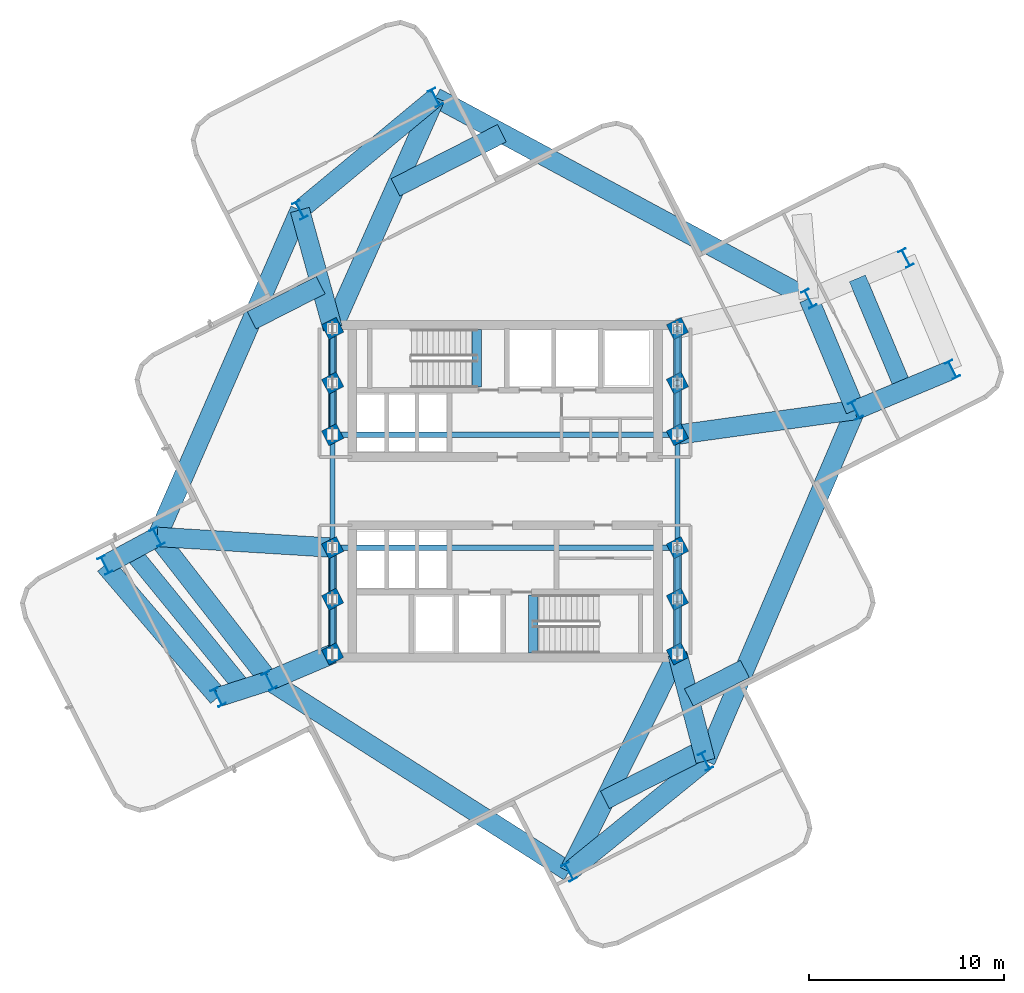
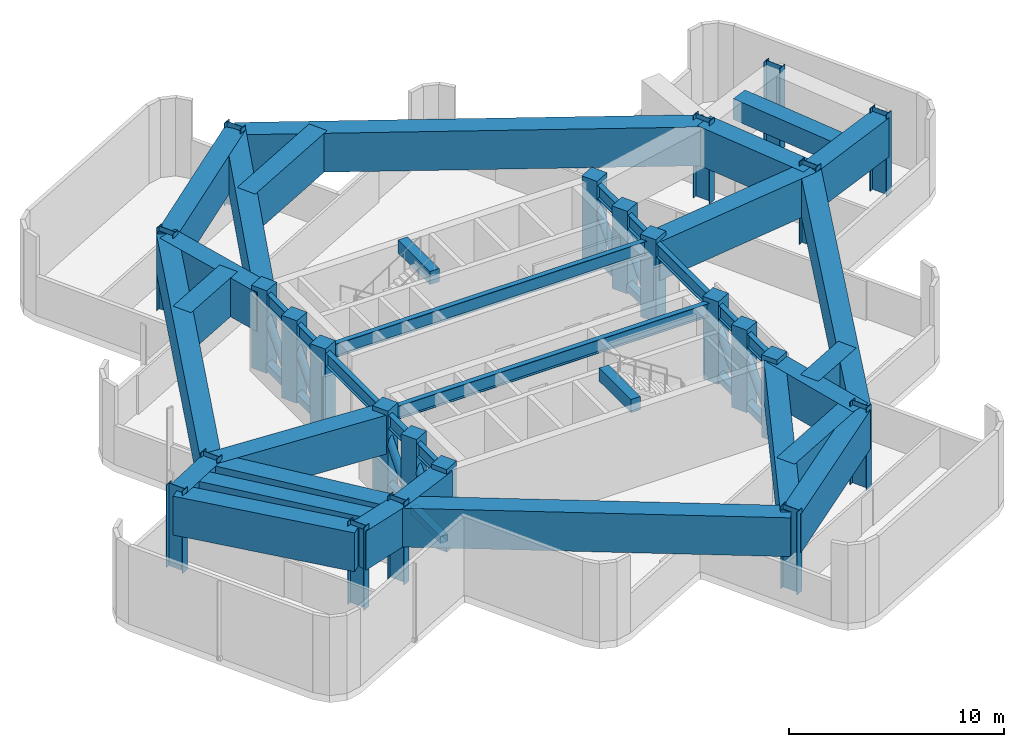
# One storey, part 1 of 6: 39 beams, 24 columns, 16 members.
"""IFC4 building model written with IfcOpenShell, lengths in metres."""

from ifc_helpers import new_model, si_unit, direction, frame, origin, origin_2d, place, context, subcontext, project, spatial, rectangle, hollow_rectangle, hollow_circle, i_section, extrude, material, material_profile, profile_set, type_object, element, save


model = new_model("IFC4")

# Units and contexts
model_context = context("Model", 3, precision=1e-05, world=origin(), true_north=direction((0.0, 1.0)))
body_context = subcontext(model_context, "Body", "Model", "MODEL_VIEW")
ifc_project = project(units=[si_unit("LENGTHUNIT", "METRE"), si_unit("AREAUNIT", "SQUARE_METRE"), si_unit("VOLUMEUNIT", "CUBIC_METRE"), si_unit("PLANEANGLEUNIT", "RADIAN"), si_unit("MASSUNIT", "GRAM", prefix="KILO")], contexts=[model_context])

# Site, building, storey
site_placement = place(None, origin())
site = spatial("IfcSite", under=ifc_project, at=site_placement, CompositionType="ELEMENT")
building_placement = place(site_placement, origin())
building = spatial("IfcBuilding", under=site, at=building_placement, Name="Solmarez Civic Tower", CompositionType="ELEMENT")
storey_placement = place(building_placement, frame((0.0, 0.0, 196.199951171875)))
storey = spatial("IfcBuildingStorey", under=building, at=storey_placement, Name="L52", CompositionType="ELEMENT", Elevation=196.199951171875)

# Columns
ifc_material_1 = material(Name="Concrete C50/60", Category="concrete")
ifc_material_profile_1 = material_profile(ifc_material_1, rectangle(XDim=0.85009765625, YDim=0.85009765625, at=origin_2d()), Name="RC850X850")
ifc_profile_set_1 = profile_set([ifc_material_profile_1], Name="Concrete C50/60")
column_type_1 = type_object("IfcColumnType", Name="COL-RC850", PredefinedType="COLUMN", material=ifc_profile_set_1)
for number, where, z_axis, x_axis, name in (
    (1, (-8.85009765625, -5.550048828125, 0.0), (0.0, 0.0, 1.0), (0.891006524188, 0.45399049974, 0.0), "L52 Structural Column HC1"),
    (2, (-8.85009765625, -2.89990234375, 0.0), (0.0, 0.0, 1.0), (0.891006524188, 0.45399049974, 0.0), "L52 Structural Column HC2"),
    (3, (-8.85009765625, 2.89990234375, 0.0), (0.0, 0.0, 1.0), (0.891006524188, 0.45399049974, 0.0), "L52 Structural Column HC3"),
    (4, (-8.85009765625, 5.550048828125, 0.0), (0.0, 0.0, 1.0), (0.891006524188, 0.45399049974, 0.0), "L52 Structural Column HC4"),
    (5, (8.85009765625, -5.550048828125, 0.0), (0.0, 0.0, 1.0), (0.891006524188, 0.45399049974, 0.0), "L52 Structural Column HC5"),
    (6, (8.85009765625, -2.89990234375, 0.0), (0.0, 0.0, 1.0), (0.891006524188, 0.45399049974, 0.0), "L52 Structural Column HC6"),
    (7, (8.85009765625, 2.89990234375, 0.0), (0.0, 0.0, 1.0), (0.891006524188, 0.45399049974, 0.0), "L52 Structural Column HC7"),
    (8, (8.85009765625, 5.550048828125, 0.0), (0.0, 0.0, 1.0), (0.891006524188, 0.45399049974, 0.0), "L52 Structural Column HC8"),
    (9, (-8.85009765625, 8.35009765625, 0.0), (0.0, 0.0, 1.0), (0.891006524188, 0.45399049974, 0.0), "L52 Structural Column HC9"),
    (10, (8.85009765625, -8.35009765625, 0.0), (0.0, 0.0, 1.0), (0.891006524188, 0.45399049974, 0.0), "L52 Structural Column HC10"),
    (11, (8.85009765625, 8.35009765625, 0.0), (0.0, 0.0, 1.0), (0.891006524188, 0.45399049974, 0.0), "L52 Structural Column HC11"),
    (12, (-8.85009765625, -8.35009765625, 0.0), (0.0, 0.0, 1.0), (0.891006524188, 0.45399049974, 0.0), "L52 Structural Column HC12"),
):
    element("IfcColumn", number, at=place(storey_placement, frame(where, z_axis=z_axis, x_axis=x_axis)), inside=storey, type_object=column_type_1, Name=name, PredefinedType="COLUMN", context=body_context, shape_type="SweptSolid", body=[
        extrude(rectangle(XDim=0.85009765625, YDim=0.85009765625, at=origin_2d()), origin(), (0.0, 0.0, 1.0), 4.679931640625),
    ])
ifc_material_2 = material(Name="Steel S355", Category="steel")
ifc_material_profile_2 = material_profile(ifc_material_2, i_section(OverallWidth=0.41796875, OverallDepth=0.927001953125, WebThickness=0.019287109375, FlangeThickness=0.031982421875, at=origin_2d()), Name="W36X231")
ifc_profile_set_2 = profile_set([ifc_material_profile_2], Name="Steel S355")
column_type_2 = type_object("IfcColumnType", Name="COL-W36X231", PredefinedType="COLUMN", material=ifc_profile_set_2)
for number, where, z_axis, x_axis, name in (
    (13, (17.987060546875, 4.1640625, 0.0), (0.0, 0.0, 1.0), (0.891006524188, 0.45399049974, 0.0), "L52 Structural Column EA11"),
    (14, (15.593994140625, 9.883056640625, 0.0), (0.0, 0.0, 1.0), (0.891006524188, 0.45399049974, 0.0), "L52 Structural Column EA12"),
    (15, (22.968017578125, 6.248046875, 0.0), (0.0, 0.0, 1.0), (0.891006524188, 0.45399049974, 0.0), "L52 Structural Column EA21"),
    (16, (20.575927734375, 11.967041015625, 0.0), (0.0, 0.0, 1.0), (0.891006524188, 0.45399049974, 0.0), "L52 Structural Column EA22"),
    (17, (-3.570068359375, 20.20703125, 0.0), (0.0, 0.0, 1.0), (0.891006524188, 0.45399049974, 0.0), "L52 Structural Column NA11"),
    (18, (-10.532958984375, 14.43310546875, 0.0), (0.0, 0.0, 1.0), (0.891006524188, 0.45399049974, 0.0), "L52 Structural Column NA12"),
    (19, (-17.85791015625, -2.345947265625, 0.0), (0.0, 0.0, 1.0), (0.891006524188, 0.45399049974, 0.0), "L52 Structural Column WA11"),
    (20, (-12.10595703125, -9.73095703125, 0.0), (0.0, 0.0, 1.0), (0.891006524188, 0.45399049974, 0.0), "L52 Structural Column WA12"),
    (21, (-20.534912109375, -3.7880859375, 0.0), (0.0, 0.0, 1.0), (0.891006524188, 0.45399049974, 0.0), "L52 Structural Column WA21"),
    (22, (-14.73095703125, -10.572998046875, 0.0), (0.0, 0.0, 1.0), (0.891006524188, 0.45399049974, 0.0), "L52 Structural Column WA22"),
    (23, (3.2900390625, -19.535888671875, 0.0), (0.0, 0.0, 1.0), (0.891006524188, 0.45399049974, 0.0), "L52 Structural Column SA11"),
    (24, (10.2900390625, -13.85009765625, 0.0), (0.0, 0.0, 1.0), (0.891006524188, 0.45399049974, 0.0), "L52 Structural Column SA12"),
):
    element("IfcColumn", number, at=place(storey_placement, frame(where, z_axis=z_axis, x_axis=x_axis)), inside=storey, type_object=column_type_2, Name=name, PredefinedType="COLUMN", context=body_context, shape_type="SweptSolid", body=[
        extrude(i_section(OverallWidth=0.41796875, OverallDepth=0.927001953125, WebThickness=0.019287109375, FlangeThickness=0.031982421875, at=origin_2d()), origin(), (0.0, 0.0, 1.0), 4.679931640625),
    ])

# Beams
ifc_material_profile_3 = material_profile(ifc_material_1, rectangle(XDim=0.5, YDim=0.75, at=origin_2d()), Name="RC500X750")
ifc_profile_set_3 = profile_set([ifc_material_profile_3], Name="Concrete C50/60")
beam_type_1 = type_object("IfcBeamType", Name="BM-PR-RC500X750", PredefinedType="BEAM", material=ifc_profile_set_3)
for number, where, z_axis, x_axis, name in (
    (25, (-1.449951171875, 5.340087890625, 4.31298828125), (0.0, 1.0, 0.0), (-1.0, 0.0, 0.0), "L52 North Stair Threshold Beam"),
    (26, (1.449951171875, -8.300048828125, 4.31298828125), (0.0, 1.0, 0.0), (-1.0, 0.0, 0.0), "L52 South Stair Threshold Beam"),
):
    element("IfcBeam", number, at=place(storey_placement, frame(where, z_axis=z_axis, x_axis=x_axis)), inside=storey, type_object=beam_type_1, Name=name, PredefinedType="BEAM", context=body_context, shape_type="SweptSolid", body=[
        extrude(rectangle(XDim=0.5, YDim=0.75, at=origin_2d()), origin(), (0.0, 0.0, 1.0), 2.9599609375),
    ])
ifc_material_profile_4 = material_profile(ifc_material_2, i_section(OverallWidth=0.26708984375, OverallDepth=0.761962890625, WebThickness=0.014404296875, FlangeThickness=0.021484375, at=origin_2d()), Name="W30X116")
ifc_profile_set_4 = profile_set([ifc_material_profile_4], Name="Steel S355")
beam_type_2 = type_object("IfcBeamType", Name="BM-PR-W30X116", PredefinedType="BEAM", material=ifc_profile_set_4)
beam_1_placement = place(storey_placement, frame((-8.85009765625, -8.35009765625, 4.0390625), z_axis=(0.0, 1.0, 0.0), x_axis=(-1.0, 0.0, 0.0)))
element("IfcBeam", 27, at=beam_1_placement, inside=storey, type_object=beam_type_2, Name="L52 Primary Floor Beam BM-L52-HC12-HC1", PredefinedType="BEAM", context=body_context, shape_type="SweptSolid", body=[
    extrude(i_section(OverallWidth=0.26708984375, OverallDepth=0.761962890625, WebThickness=0.014404296875, FlangeThickness=0.021484375, at=origin_2d()), origin(), (0.0, 0.0, 1.0), 2.800048828125),
])
beam_2_placement = place(storey_placement, frame((-8.85009765625, -5.550048828125, 4.0390625), z_axis=(0.0, 1.0, 0.0), x_axis=(-1.0, 0.0, 0.0)))
element("IfcBeam", 28, at=beam_2_placement, inside=storey, type_object=beam_type_2, Name="L52 Primary Floor Beam BM-L52-HC1-HC2", PredefinedType="BEAM", context=body_context, shape_type="SweptSolid", body=[
    extrude(i_section(OverallWidth=0.26708984375, OverallDepth=0.761962890625, WebThickness=0.014404296875, FlangeThickness=0.021484375, at=origin_2d()), origin(), (0.0, 0.0, 1.0), 2.650146484375),
])
beam_3_placement = place(storey_placement, frame((-8.85009765625, -2.89990234375, 4.0390625), z_axis=(0.0, 1.0, 0.0), x_axis=(-1.0, 0.0, 0.0)))
element("IfcBeam", 29, at=beam_3_placement, inside=storey, type_object=beam_type_2, Name="L52 Primary Floor Beam BM-L52-HC2-HC3", PredefinedType="BEAM", context=body_context, shape_type="SweptSolid", body=[
    extrude(i_section(OverallWidth=0.26708984375, OverallDepth=0.761962890625, WebThickness=0.014404296875, FlangeThickness=0.021484375, at=origin_2d()), origin(), (0.0, 0.0, 1.0), 5.7998046875),
])
beam_4_placement = place(storey_placement, frame((-8.85009765625, 2.89990234375, 4.0390625), z_axis=(0.0, 1.0, 0.0), x_axis=(-1.0, 0.0, 0.0)))
element("IfcBeam", 30, at=beam_4_placement, inside=storey, type_object=beam_type_2, Name="L52 Primary Floor Beam BM-L52-HC3-HC4", PredefinedType="BEAM", context=body_context, shape_type="SweptSolid", body=[
    extrude(i_section(OverallWidth=0.26708984375, OverallDepth=0.761962890625, WebThickness=0.014404296875, FlangeThickness=0.021484375, at=origin_2d()), origin(), (0.0, 0.0, 1.0), 2.650146484375),
])
for number, where, z_axis, x_axis, name in (
    (31, (-8.85009765625, 5.550048828125, 4.0390625), (0.0, 1.0, 0.0), (-1.0, 0.0, 0.0), "L52 Primary Floor Beam BM-L52-HC4-HC9"),
    (32, (8.85009765625, -8.35009765625, 4.0390625), (0.0, 1.0, 0.0), (-1.0, 0.0, 0.0), "L52 Primary Floor Beam BM-L52-HC10-HC5"),
):
    element("IfcBeam", number, at=place(storey_placement, frame(where, z_axis=z_axis, x_axis=x_axis)), inside=storey, type_object=beam_type_2, Name=name, PredefinedType="BEAM", context=body_context, shape_type="SweptSolid", body=[
        extrude(i_section(OverallWidth=0.26708984375, OverallDepth=0.761962890625, WebThickness=0.014404296875, FlangeThickness=0.021484375, at=origin_2d()), origin(), (0.0, 0.0, 1.0), 2.800048828125),
    ])
beam_5_placement = place(storey_placement, frame((8.85009765625, -5.550048828125, 4.0390625), z_axis=(0.0, 1.0, 0.0), x_axis=(-1.0, 0.0, 0.0)))
element("IfcBeam", 33, at=beam_5_placement, inside=storey, type_object=beam_type_2, Name="L52 Primary Floor Beam BM-L52-HC5-HC6", PredefinedType="BEAM", context=body_context, shape_type="SweptSolid", body=[
    extrude(i_section(OverallWidth=0.26708984375, OverallDepth=0.761962890625, WebThickness=0.014404296875, FlangeThickness=0.021484375, at=origin_2d()), origin(), (0.0, 0.0, 1.0), 2.650146484375),
])
beam_6_placement = place(storey_placement, frame((8.85009765625, -2.89990234375, 4.0390625), z_axis=(0.0, 1.0, 0.0), x_axis=(-1.0, 0.0, 0.0)))
element("IfcBeam", 34, at=beam_6_placement, inside=storey, type_object=beam_type_2, Name="L52 Primary Floor Beam BM-L52-HC6-HC7", PredefinedType="BEAM", context=body_context, shape_type="SweptSolid", body=[
    extrude(i_section(OverallWidth=0.26708984375, OverallDepth=0.761962890625, WebThickness=0.014404296875, FlangeThickness=0.021484375, at=origin_2d()), origin(), (0.0, 0.0, 1.0), 5.7998046875),
])
beam_7_placement = place(storey_placement, frame((8.85009765625, 2.89990234375, 4.0390625), z_axis=(0.0, 1.0, 0.0), x_axis=(-1.0, 0.0, 0.0)))
element("IfcBeam", 35, at=beam_7_placement, inside=storey, type_object=beam_type_2, Name="L52 Primary Floor Beam BM-L52-HC7-HC8", PredefinedType="BEAM", context=body_context, shape_type="SweptSolid", body=[
    extrude(i_section(OverallWidth=0.26708984375, OverallDepth=0.761962890625, WebThickness=0.014404296875, FlangeThickness=0.021484375, at=origin_2d()), origin(), (0.0, 0.0, 1.0), 2.650146484375),
])
beam_8_placement = place(storey_placement, frame((8.85009765625, 5.550048828125, 4.0390625), z_axis=(0.0, 1.0, 0.0), x_axis=(-1.0, 0.0, 0.0)))
element("IfcBeam", 36, at=beam_8_placement, inside=storey, type_object=beam_type_2, Name="L52 Primary Floor Beam BM-L52-HC8-HC11", PredefinedType="BEAM", context=body_context, shape_type="SweptSolid", body=[
    extrude(i_section(OverallWidth=0.26708984375, OverallDepth=0.761962890625, WebThickness=0.014404296875, FlangeThickness=0.021484375, at=origin_2d()), origin(), (0.0, 0.0, 1.0), 2.800048828125),
])
for number, where, z_axis, x_axis, name in (
    (37, (-8.85009765625, -2.89990234375, 4.0390625), (1.0, 0.0, 0.0), (0.0, 1.0, 0.0), "L52 Primary Floor Beam BM-L52-HC2-HC6"),
    (38, (-8.85009765625, 2.89990234375, 4.0390625), (1.0, 0.0, 0.0), (0.0, 1.0, 0.0), "L52 Primary Floor Beam BM-L52-HC3-HC7"),
):
    element("IfcBeam", number, at=place(storey_placement, frame(where, z_axis=z_axis, x_axis=x_axis)), inside=storey, type_object=beam_type_2, Name=name, PredefinedType="BEAM", context=body_context, shape_type="SweptSolid", body=[
        extrude(i_section(OverallWidth=0.26708984375, OverallDepth=0.761962890625, WebThickness=0.014404296875, FlangeThickness=0.021484375, at=origin_2d()), origin(), (0.0, 0.0, 1.0), 17.7001953125),
    ])
ifc_material_3 = material(Name="Concrete C60/75", Category="concrete")
ifc_material_profile_5 = material_profile(ifc_material_3, rectangle(XDim=1.0, YDim=2.199951171875, at=origin_2d()), Name="RC1000X2200")
ifc_profile_set_5 = profile_set([ifc_material_profile_5], Name="Concrete C60/75")
beam_type_3 = type_object("IfcBeamType", Name="BM-TG-RC1000X2200", PredefinedType="USERDEFINED", material=ifc_profile_set_5)
beam_9_placement = place(storey_placement, frame((8.85009765625, 2.89990234375, 3.320068359375), z_axis=(0.990563968355, 0.137051175101, 0.0), x_axis=(-0.137051175101, 0.990563968355, 0.0)))
element("IfcBeam", 39, at=beam_9_placement, inside=storey, type_object=beam_type_3, Name="L52 Transfer Girder BM-L52-EA-R1A", ObjectType="TRANSFER_GIRDER", PredefinedType="USERDEFINED", context=body_context, shape_type="SweptSolid", body=[
    extrude(rectangle(XDim=1.0, YDim=2.199951171875, at=origin_2d()), origin(), (0.0, 0.0, 1.0), 9.22412109375),
])
beam_10_placement = place(storey_placement, frame((17.987060546875, 4.1640625, 3.320068359375), z_axis=(-0.386010282684, 0.922494477849, 0.0), x_axis=(-0.922494477849, -0.386010282684, 0.0)))
element("IfcBeam", 40, at=beam_10_placement, inside=storey, type_object=beam_type_3, Name="L52 Transfer Girder BM-L52-EA-T1", ObjectType="TRANSFER_GIRDER", PredefinedType="USERDEFINED", context=body_context, shape_type="SweptSolid", body=[
    extrude(rectangle(XDim=1.0, YDim=2.199951171875, at=origin_2d()), origin(), (0.0, 0.0, 1.0), 6.199462890625),
])
beam_11_placement = place(storey_placement, frame((17.987060546875, 4.1640625, 3.320068359375), z_axis=(0.922511388683, 0.385969866376, 0.0), x_axis=(-0.385969866376, 0.922511388683, 0.0)))
element("IfcBeam", 41, at=beam_11_placement, inside=storey, type_object=beam_type_3, Name="L52 Transfer Girder BM-L52-EA-R2A", ObjectType="TRANSFER_GIRDER", PredefinedType="USERDEFINED", context=body_context, shape_type="SweptSolid", body=[
    extrude(rectangle(XDim=1.0, YDim=2.199951171875, at=origin_2d()), origin(), (0.0, 0.0, 1.0), 5.3994140625),
])
beam_12_placement = place(storey_placement, frame((-8.85009765625, 8.35009765625, 3.320068359375), z_axis=(0.406799805731, 0.9135173332, 0.0), x_axis=(-0.9135173332, 0.406799805731, 0.0)))
element("IfcBeam", 42, at=beam_12_placement, inside=storey, type_object=beam_type_3, Name="L52 Transfer Girder BM-L52-NA-R1A", ObjectType="TRANSFER_GIRDER", PredefinedType="USERDEFINED", context=body_context, shape_type="SweptSolid", body=[
    extrude(rectangle(XDim=1.0, YDim=2.199951171875, at=origin_2d()), origin(), (0.0, 0.0, 1.0), 12.9794921875),
])
beam_13_placement = place(storey_placement, frame((-8.85009765625, 8.35009765625, 3.320068359375), z_axis=(-0.266634219494, 0.963797796737, 0.0), x_axis=(-0.963797796737, -0.266634219494, 0.0)))
element("IfcBeam", 43, at=beam_13_placement, inside=storey, type_object=beam_type_3, Name="L52 Transfer Girder BM-L52-NA-R1B", ObjectType="TRANSFER_GIRDER", PredefinedType="USERDEFINED", context=body_context, shape_type="SweptSolid", body=[
    extrude(rectangle(XDim=1.0, YDim=2.199951171875, at=origin_2d()), origin(), (0.0, 0.0, 1.0), 6.3115234375),
])
beam_14_placement = place(storey_placement, frame((-3.570068359375, 20.20703125, 3.320068359375), z_axis=(-0.769767664309, -0.638324167633, 0.0), x_axis=(0.638324167633, -0.769767664309, 0.0)))
element("IfcBeam", 44, at=beam_14_placement, inside=storey, type_object=beam_type_3, Name="L52 Transfer Girder BM-L52-NA-T1", ObjectType="TRANSFER_GIRDER", PredefinedType="USERDEFINED", context=body_context, shape_type="SweptSolid", body=[
    extrude(rectangle(XDim=1.0, YDim=2.199951171875, at=origin_2d()), origin(), (0.0, 0.0, 1.0), 9.04541015625),
])
beam_15_placement = place(storey_placement, frame((-8.85009765625, -2.89990234375, 3.320068359375), z_axis=(-0.998114395047, 0.061381221877, 0.0), x_axis=(-0.061381221877, -0.998114395047, 0.0)))
element("IfcBeam", 45, at=beam_15_placement, inside=storey, type_object=beam_type_3, Name="L52 Transfer Girder BM-L52-WA-R1A", ObjectType="TRANSFER_GIRDER", PredefinedType="USERDEFINED", context=body_context, shape_type="SweptSolid", body=[
    extrude(rectangle(XDim=1.0, YDim=2.199951171875, at=origin_2d()), origin(), (0.0, 0.0, 1.0), 9.02490234375),
])
beam_16_placement = place(storey_placement, frame((-8.85009765625, -8.35009765625, 3.320068359375), z_axis=(-0.920623894701, -0.390450566019, 0.0), x_axis=(0.390450566019, -0.920623894701, 0.0)))
element("IfcBeam", 46, at=beam_16_placement, inside=storey, type_object=beam_type_3, Name="L52 Transfer Girder BM-L52-WA-R1B", ObjectType="TRANSFER_GIRDER", PredefinedType="USERDEFINED", context=body_context, shape_type="SweptSolid", body=[
    extrude(rectangle(XDim=1.0, YDim=2.199951171875, at=origin_2d()), origin(), (0.0, 0.0, 1.0), 3.53662109375),
])
beam_17_placement = place(storey_placement, frame((-17.85791015625, -2.345947265625, 3.320068359375), z_axis=(0.614476744631, -0.788934934141, 0.0), x_axis=(0.788934934141, 0.614476744631, 0.0)))
element("IfcBeam", 47, at=beam_17_placement, inside=storey, type_object=beam_type_3, Name="L52 Transfer Girder BM-L52-WA-T1", ObjectType="TRANSFER_GIRDER", PredefinedType="USERDEFINED", context=body_context, shape_type="SweptSolid", body=[
    extrude(rectangle(XDim=1.0, YDim=2.199951171875, at=origin_2d()), origin(), (0.0, 0.0, 1.0), 9.36083984375),
])
beam_18_placement = place(storey_placement, frame((-17.85791015625, -2.345947265625, 3.320068359375), z_axis=(-0.880378270924, -0.474272179329, 0.0), x_axis=(0.474272179329, -0.880378270924, 0.0)))
element("IfcBeam", 48, at=beam_18_placement, inside=storey, type_object=beam_type_3, Name="L52 Transfer Girder BM-L52-WA-R2A", ObjectType="TRANSFER_GIRDER", PredefinedType="USERDEFINED", context=body_context, shape_type="SweptSolid", body=[
    extrude(rectangle(XDim=1.0, YDim=2.199951171875, at=origin_2d()), origin(), (0.0, 0.0, 1.0), 3.040771484375),
])
beam_19_placement = place(storey_placement, frame((-12.10595703125, -9.73095703125, 3.320068359375), z_axis=(-0.952208998703, -0.305447250421, 0.0), x_axis=(0.305447250421, -0.952208998703, 0.0)))
element("IfcBeam", 49, at=beam_19_placement, inside=storey, type_object=beam_type_3, Name="L52 Transfer Girder BM-L52-WA-R2B", ObjectType="TRANSFER_GIRDER", PredefinedType="USERDEFINED", context=body_context, shape_type="SweptSolid", body=[
    extrude(rectangle(XDim=1.0, YDim=2.199951171875, at=origin_2d()), origin(), (0.0, 0.0, 1.0), 2.7568359375),
])
beam_20_placement = place(storey_placement, frame((-20.534912109375, -3.7880859375, 3.320068359375), z_axis=(0.650036693718, -0.759902820642, 0.0), x_axis=(0.759902820642, 0.650036693718, 0.0)))
element("IfcBeam", 50, at=beam_20_placement, inside=storey, type_object=beam_type_3, Name="L52 Transfer Girder BM-L52-WA-T2", ObjectType="TRANSFER_GIRDER", PredefinedType="USERDEFINED", context=body_context, shape_type="SweptSolid", body=[
    extrude(rectangle(XDim=1.0, YDim=2.199951171875, at=origin_2d()), origin(), (0.0, 0.0, 1.0), 8.9287109375),
])
beam_21_placement = place(storey_placement, frame((8.85009765625, -8.35009765625, 3.320068359375), z_axis=(-0.44510935737, -0.895476219663, 0.0), x_axis=(0.895476219663, -0.44510935737, 0.0)))
element("IfcBeam", 51, at=beam_21_placement, inside=storey, type_object=beam_type_3, Name="L52 Transfer Girder BM-L52-SA-R1A", ObjectType="TRANSFER_GIRDER", PredefinedType="USERDEFINED", context=body_context, shape_type="SweptSolid", body=[
    extrude(rectangle(XDim=1.0, YDim=2.199951171875, at=origin_2d()), origin(), (0.0, 0.0, 1.0), 12.491455078125),
])
beam_22_placement = place(storey_placement, frame((8.85009765625, -8.35009765625, 3.320068359375), z_axis=(0.253271365575, -0.967395273598, 0.0), x_axis=(0.967395273598, 0.253271365575, 0.0)))
element("IfcBeam", 52, at=beam_22_placement, inside=storey, type_object=beam_type_3, Name="L52 Transfer Girder BM-L52-SA-R1B", ObjectType="TRANSFER_GIRDER", PredefinedType="USERDEFINED", context=body_context, shape_type="SweptSolid", body=[
    extrude(rectangle(XDim=1.0, YDim=2.199951171875, at=origin_2d()), origin(), (0.0, 0.0, 1.0), 5.685302734375),
])
beam_23_placement = place(storey_placement, frame((3.2900390625, -19.535888671875, 3.320068359375), z_axis=(0.776206737012, 0.630478470225, 0.0), x_axis=(-0.630478470225, 0.776206737012, 0.0)))
element("IfcBeam", 53, at=beam_23_placement, inside=storey, type_object=beam_type_3, Name="L52 Transfer Girder BM-L52-SA-T1", ObjectType="TRANSFER_GIRDER", PredefinedType="USERDEFINED", context=body_context, shape_type="SweptSolid", body=[
    extrude(rectangle(XDim=1.0, YDim=2.199951171875, at=origin_2d()), origin(), (0.0, 0.0, 1.0), 9.018310546875),
])
beam_24_placement = place(storey_placement, frame((15.593994140625, 9.883056640625, 3.320068359375), z_axis=(-0.880377808395, 0.474273037908, 0.0), x_axis=(-0.474273037908, -0.880377808395, 0.0)))
element("IfcBeam", 54, at=beam_24_placement, inside=storey, type_object=beam_type_3, Name="L52 Transfer Girder TG-L52-RING-EA12-NA11", ObjectType="TRANSFER_GIRDER", PredefinedType="USERDEFINED", context=body_context, shape_type="SweptSolid", body=[
    extrude(rectangle(XDim=1.0, YDim=2.199951171875, at=origin_2d()), origin(), (0.0, 0.0, 1.0), 21.76806640625),
])
beam_25_placement = place(storey_placement, frame((-10.532958984375, 14.43310546875, 3.320068359375), z_axis=(-0.400090484362, -0.91647564306, 0.0), x_axis=(0.91647564306, -0.400090484362, 0.0)))
element("IfcBeam", 55, at=beam_25_placement, inside=storey, type_object=beam_type_3, Name="L52 Transfer Girder TG-L52-RING-NA12-WA11", ObjectType="TRANSFER_GIRDER", PredefinedType="USERDEFINED", context=body_context, shape_type="SweptSolid", body=[
    extrude(rectangle(XDim=1.0, YDim=2.199951171875, at=origin_2d()), origin(), (0.0, 0.0, 1.0), 18.308349609375),
])
beam_26_placement = place(storey_placement, frame((-12.10595703125, -9.73095703125, 3.320068359375), z_axis=(0.843475834773, -0.537167121251, 0.0), x_axis=(0.537167121251, 0.843475834773, 0.0)))
element("IfcBeam", 56, at=beam_26_placement, inside=storey, type_object=beam_type_3, Name="L52 Transfer Girder TG-L52-RING-WA12-SA11", ObjectType="TRANSFER_GIRDER", PredefinedType="USERDEFINED", context=body_context, shape_type="SweptSolid", body=[
    extrude(rectangle(XDim=1.0, YDim=2.199951171875, at=origin_2d()), origin(), (0.0, 0.0, 1.0), 18.2529296875),
])
beam_27_placement = place(storey_placement, frame((10.2900390625, -13.85009765625, 3.320068359375), z_axis=(0.392912803699, 0.919575732982, 0.0), x_axis=(-0.919575732982, 0.392912803699, 0.0)))
element("IfcBeam", 57, at=beam_27_placement, inside=storey, type_object=beam_type_3, Name="L52 Transfer Girder TG-L52-RING-SA12-EA11", ObjectType="TRANSFER_GIRDER", PredefinedType="USERDEFINED", context=body_context, shape_type="SweptSolid", body=[
    extrude(rectangle(XDim=1.0, YDim=2.199951171875, at=origin_2d()), origin(), (0.0, 0.0, 1.0), 19.589599609375),
])
beam_28_placement = place(storey_placement, frame((-0.1650390625, 18.373046875, 3.320068359375), z_axis=(-0.891039800861, -0.453925184675, 0.0), x_axis=(0.453925184675, -0.891039800861, 0.0)))
element("IfcBeam", 58, at=beam_28_placement, inside=storey, type_object=beam_type_3, Name="L52 Transfer Girder TG-L52-NA11", ObjectType="TRANSFER_GIRDER", PredefinedType="USERDEFINED", context=body_context, shape_type="SweptSolid", body=[
    extrude(rectangle(XDim=1.0, YDim=2.199951171875, at=origin_2d()), origin(), (0.0, 0.0, 1.0), 6.128662109375),
])
beam_29_placement = place(storey_placement, frame((-9.465087890625, 10.573974609375, 3.320068359375), z_axis=(-0.891071387214, -0.453863176397, 0.0), x_axis=(0.453863176397, -0.891071387214, 0.0)))
element("IfcBeam", 59, at=beam_29_placement, inside=storey, type_object=beam_type_3, Name="L52 Transfer Girder TG-L52-NA12", ObjectType="TRANSFER_GIRDER", PredefinedType="USERDEFINED", context=body_context, shape_type="SweptSolid", body=[
    extrude(rectangle(XDim=1.0, YDim=2.199951171875, at=origin_2d()), origin(), (0.0, 0.0, 1.0), 3.972412109375),
])
beam_30_placement = place(storey_placement, frame((5.1240234375, -15.845947265625, 3.320068359375), z_axis=(0.891038504558, 0.453927729265, 0.0), x_axis=(-0.453927729265, 0.891038504558, 0.0)))
element("IfcBeam", 60, at=beam_30_placement, inside=storey, type_object=beam_type_3, Name="L52 Transfer Girder TG-L52-SA11", ObjectType="TRANSFER_GIRDER", PredefinedType="USERDEFINED", context=body_context, shape_type="SweptSolid", body=[
    extrude(rectangle(XDim=1.0, YDim=2.199951171875, at=origin_2d()), origin(), (0.0, 0.0, 1.0), 5.6328125),
])
beam_31_placement = place(storey_placement, frame((9.43603515625, -10.589111328125, 3.320068359375), z_axis=(0.890978820862, 0.454044866478, 0.0), x_axis=(-0.454044866478, 0.890978820862, 0.0)))
element("IfcBeam", 61, at=beam_31_placement, inside=storey, type_object=beam_type_3, Name="L52 Transfer Girder TG-L52-SA12", ObjectType="TRANSFER_GIRDER", PredefinedType="USERDEFINED", context=body_context, shape_type="SweptSolid", body=[
    extrude(rectangle(XDim=1.0, YDim=2.199951171875, at=origin_2d()), origin(), (0.0, 0.0, 1.0), 3.224609375),
])
ifc_material_profile_6 = material_profile(ifc_material_3, rectangle(XDim=0.89990234375, YDim=1.179931640625, at=origin_2d()), Name="RC900X1180")
ifc_profile_set_6 = profile_set([ifc_material_profile_6], Name="Concrete C60/75")
beam_type_4 = type_object("IfcBeamType", Name="BM-TG-RC900X1180", PredefinedType="USERDEFINED", material=ifc_profile_set_6)
beam_32_placement = place(storey_placement, frame((20.47705078125, 5.2060546875, 3.830078125), z_axis=(-0.385876218946, 0.922550564279, 0.0), x_axis=(-0.922550564279, -0.385876218946, 0.0)))
element("IfcBeam", 62, at=beam_32_placement, inside=storey, type_object=beam_type_4, Name="L52 Transfer Girder JS-L52-EA-M2", ObjectType="TRANSFER_GIRDER", PredefinedType="USERDEFINED", context=body_context, shape_type="SweptSolid", body=[
    extrude(rectangle(XDim=0.89990234375, YDim=1.179931640625, at=origin_2d()), origin(), (0.0, 0.0, 1.0), 6.19921875),
])
beam_33_placement = place(storey_placement, frame((-19.197021484375, -3.06689453125, 3.830078125), z_axis=(0.632062174253, -0.77491767813, 0.0), x_axis=(0.77491767813, 0.632062174253, 0.0)))
element("IfcBeam", 63, at=beam_33_placement, inside=storey, type_object=beam_type_4, Name="L52 Transfer Girder JS-L52-WA-M2", ObjectType="TRANSFER_GIRDER", PredefinedType="USERDEFINED", context=body_context, shape_type="SweptSolid", body=[
    extrude(rectangle(XDim=0.89990234375, YDim=1.179931640625, at=origin_2d()), origin(), (0.0, 0.0, 1.0), 9.14306640625),
])

# Members
ifc_material_profile_7 = material_profile(ifc_material_2, hollow_circle(Radius=0.202880859375, WallThickness=0.01611328125, at=origin_2d()), Name="CHS406X16")
ifc_profile_set_7 = profile_set([ifc_material_profile_7], Name="Steel S355")
member_type_1 = type_object("IfcMemberType", Name="MEM-BRC-CHS406", PredefinedType="BRACE", material=ifc_profile_set_7)
member_1_placement = place(storey_placement, frame((-8.85009765625, -8.35009765625, 0.35009765625), z_axis=(0.0, 0.679896097265, 0.733308459602), x_axis=(-1.0, 0.0, 0.0)))
element("IfcMember", 64, at=member_1_placement, inside=storey, type_object=member_type_1, Name="L52 Belt Truss Diagonal Brace 1", PredefinedType="BRACE", context=body_context, shape_type="SweptSolid", body=[
    extrude(hollow_circle(Radius=0.202880859375, WallThickness=0.01611328125, at=origin_2d()), origin(), (0.0, 0.0, 1.0), 4.118408203125),
])
for number, where, z_axis, x_axis, name in (
    (65, (-8.85009765625, -5.550048828125, 0.35009765625), (0.0, 0.659579381967, 0.751634910634), (-1.0, 0.0, 0.0), "L52 Belt Truss Diagonal Brace 2"),
    (66, (-8.85009765625, 2.89990234375, 0.35009765625), (0.0, 0.659579381967, 0.751634910634), (-1.0, 0.0, 0.0), "L52 Belt Truss Diagonal Brace 3"),
):
    element("IfcMember", number, at=place(storey_placement, frame(where, z_axis=z_axis, x_axis=x_axis)), inside=storey, type_object=member_type_1, Name=name, PredefinedType="BRACE", context=body_context, shape_type="SweptSolid", body=[
        extrude(hollow_circle(Radius=0.202880859375, WallThickness=0.01611328125, at=origin_2d()), origin(), (0.0, 0.0, 1.0), 4.017822265625),
    ])
for number, where, z_axis, x_axis, name in (
    (67, (-8.85009765625, 5.550048828125, 0.35009765625), (0.0, 0.679896097265, 0.733308459602), (-1.0, 0.0, 0.0), "L52 Belt Truss Diagonal Brace 4"),
    (68, (8.85009765625, -8.35009765625, 0.35009765625), (0.0, 0.679896097265, 0.733308459602), (-1.0, 0.0, 0.0), "L52 Belt Truss Diagonal Brace 5"),
):
    element("IfcMember", number, at=place(storey_placement, frame(where, z_axis=z_axis, x_axis=x_axis)), inside=storey, type_object=member_type_1, Name=name, PredefinedType="BRACE", context=body_context, shape_type="SweptSolid", body=[
        extrude(hollow_circle(Radius=0.202880859375, WallThickness=0.01611328125, at=origin_2d()), origin(), (0.0, 0.0, 1.0), 4.118408203125),
    ])
for number, where, z_axis, x_axis, name in (
    (69, (8.85009765625, -5.550048828125, 0.35009765625), (0.0, 0.659579381967, 0.751634910634), (-1.0, 0.0, 0.0), "L52 Belt Truss Diagonal Brace 6"),
    (70, (8.85009765625, 2.89990234375, 0.35009765625), (0.0, 0.659579381967, 0.751634910634), (-1.0, 0.0, 0.0), "L52 Belt Truss Diagonal Brace 7"),
):
    element("IfcMember", number, at=place(storey_placement, frame(where, z_axis=z_axis, x_axis=x_axis)), inside=storey, type_object=member_type_1, Name=name, PredefinedType="BRACE", context=body_context, shape_type="SweptSolid", body=[
        extrude(hollow_circle(Radius=0.202880859375, WallThickness=0.01611328125, at=origin_2d()), origin(), (0.0, 0.0, 1.0), 4.017822265625),
    ])
member_2_placement = place(storey_placement, frame((8.85009765625, 5.550048828125, 0.35009765625), z_axis=(0.0, 0.679896097265, 0.733308459602), x_axis=(-1.0, 0.0, 0.0)))
element("IfcMember", 71, at=member_2_placement, inside=storey, type_object=member_type_1, Name="L52 Belt Truss Diagonal Brace 8", PredefinedType="BRACE", context=body_context, shape_type="SweptSolid", body=[
    extrude(hollow_circle(Radius=0.202880859375, WallThickness=0.01611328125, at=origin_2d()), origin(), (0.0, 0.0, 1.0), 4.118408203125),
])
ifc_material_profile_8 = material_profile(ifc_material_2, hollow_rectangle(XDim=0.39990234375, YDim=0.39990234375, WallThickness=0.02001953125, at=origin_2d()), Name="HSS400X400X20")
ifc_profile_set_8 = profile_set([ifc_material_profile_8], Name="Steel S355")
member_type_2 = type_object("IfcMemberType", Name="MEM-CHD-HSS400", PredefinedType="CHORD", material=ifc_profile_set_8)
member_3_placement = place(storey_placement, frame((-8.85009765625, -8.35009765625, 0.35009765625), z_axis=(0.0, 1.0, 0.0), x_axis=(-1.0, 0.0, 0.0)))
element("IfcMember", 72, at=member_3_placement, inside=storey, type_object=member_type_2, Name="L52 Belt Truss Bottom Chord 1", PredefinedType="CHORD", context=body_context, shape_type="SweptSolid", body=[
    extrude(hollow_rectangle(XDim=0.39990234375, YDim=0.39990234375, WallThickness=0.02001953125, at=origin_2d()), origin(), (0.0, 0.0, 1.0), 2.800048828125),
])
for number, where, z_axis, x_axis, name in (
    (73, (-8.85009765625, -5.550048828125, 0.35009765625), (0.0, 1.0, 0.0), (-1.0, 0.0, 0.0), "L52 Belt Truss Bottom Chord 2"),
    (74, (-8.85009765625, 2.89990234375, 0.35009765625), (0.0, 1.0, 0.0), (-1.0, 0.0, 0.0), "L52 Belt Truss Bottom Chord 3"),
):
    element("IfcMember", number, at=place(storey_placement, frame(where, z_axis=z_axis, x_axis=x_axis)), inside=storey, type_object=member_type_2, Name=name, PredefinedType="CHORD", context=body_context, shape_type="SweptSolid", body=[
        extrude(hollow_rectangle(XDim=0.39990234375, YDim=0.39990234375, WallThickness=0.02001953125, at=origin_2d()), origin(), (0.0, 0.0, 1.0), 2.650146484375),
    ])
for number, where, z_axis, x_axis, name in (
    (75, (-8.85009765625, 5.550048828125, 0.35009765625), (0.0, 1.0, 0.0), (-1.0, 0.0, 0.0), "L52 Belt Truss Bottom Chord 4"),
    (76, (8.85009765625, -8.35009765625, 0.35009765625), (0.0, 1.0, 0.0), (-1.0, 0.0, 0.0), "L52 Belt Truss Bottom Chord 5"),
):
    element("IfcMember", number, at=place(storey_placement, frame(where, z_axis=z_axis, x_axis=x_axis)), inside=storey, type_object=member_type_2, Name=name, PredefinedType="CHORD", context=body_context, shape_type="SweptSolid", body=[
        extrude(hollow_rectangle(XDim=0.39990234375, YDim=0.39990234375, WallThickness=0.02001953125, at=origin_2d()), origin(), (0.0, 0.0, 1.0), 2.800048828125),
    ])
for number, where, z_axis, x_axis, name in (
    (77, (8.85009765625, -5.550048828125, 0.35009765625), (0.0, 1.0, 0.0), (-1.0, 0.0, 0.0), "L52 Belt Truss Bottom Chord 6"),
    (78, (8.85009765625, 2.89990234375, 0.35009765625), (0.0, 1.0, 0.0), (-1.0, 0.0, 0.0), "L52 Belt Truss Bottom Chord 7"),
):
    element("IfcMember", number, at=place(storey_placement, frame(where, z_axis=z_axis, x_axis=x_axis)), inside=storey, type_object=member_type_2, Name=name, PredefinedType="CHORD", context=body_context, shape_type="SweptSolid", body=[
        extrude(hollow_rectangle(XDim=0.39990234375, YDim=0.39990234375, WallThickness=0.02001953125, at=origin_2d()), origin(), (0.0, 0.0, 1.0), 2.650146484375),
    ])
member_4_placement = place(storey_placement, frame((8.85009765625, 5.550048828125, 0.35009765625), z_axis=(0.0, 1.0, 0.0), x_axis=(-1.0, 0.0, 0.0)))
element("IfcMember", 79, at=member_4_placement, inside=storey, type_object=member_type_2, Name="L52 Belt Truss Bottom Chord 8", PredefinedType="CHORD", context=body_context, shape_type="SweptSolid", body=[
    extrude(hollow_rectangle(XDim=0.39990234375, YDim=0.39990234375, WallThickness=0.02001953125, at=origin_2d()), origin(), (0.0, 0.0, 1.0), 2.800048828125),
])

save(model, "model.ifc")
